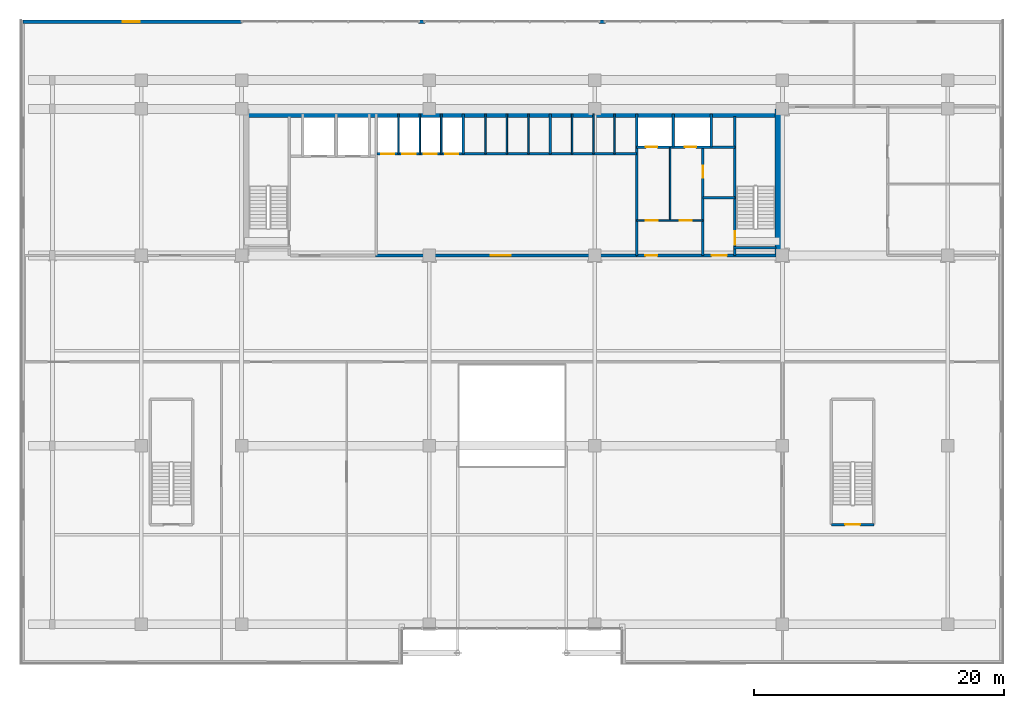
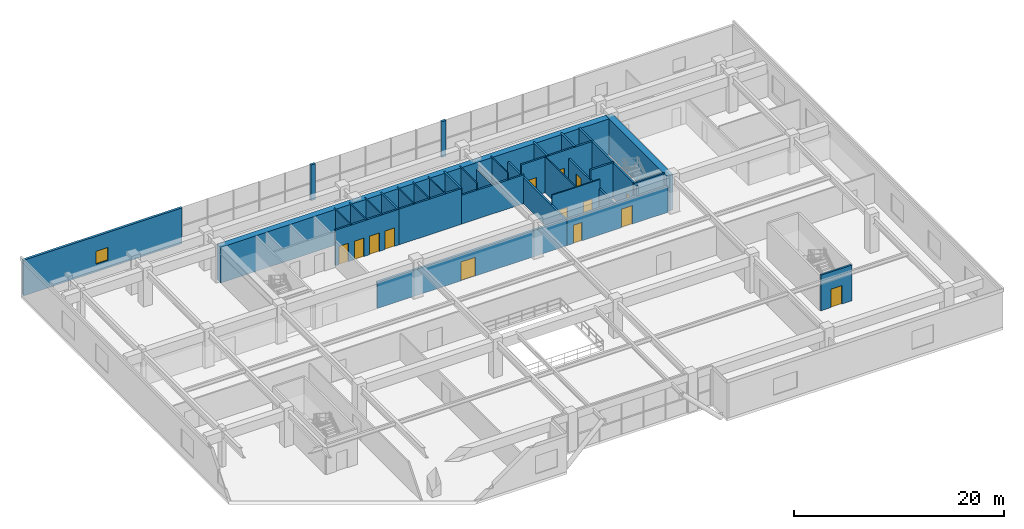
# One storey, part 14 of 21: 32 walls, 14 doors, 1 window, 15 openings.
"""IFC4 building model written with IfcOpenShell, lengths in metres."""

from ifc_helpers import new_model, si_unit, direction, frame, frame_2d, origin, place, context, subcontext, project, spatial, rectangle, extrude, source, transform, mapped, material, layer, layer_set, type_object, element, fill, save


model = new_model("IFC4")

# Units and contexts
model_context = context("Model", 3, precision=1e-05, world=origin(), true_north=direction((0.0, 1.0)))
body_context = subcontext(model_context, "Body", "Model", "MODEL_VIEW")
ifc_project = project(units=[si_unit("LENGTHUNIT", "METRE"), si_unit("AREAUNIT", "SQUARE_METRE"), si_unit("VOLUMEUNIT", "CUBIC_METRE"), si_unit("PLANEANGLEUNIT", "RADIAN"), si_unit("MASSUNIT", "GRAM", prefix="KILO")], contexts=[model_context])

# Site, building, storey
site_placement = place(None, origin())
site = spatial("IfcSite", under=ifc_project, at=site_placement, CompositionType="ELEMENT")
building_placement = place(site_placement, origin())
building = spatial("IfcBuilding", under=site, at=building_placement, Name="Trelvane Seafront Commons", CompositionType="ELEMENT")
storey_placement = place(building_placement, frame((0.0, 0.0, 14.199951171875)))
storey = spatial("IfcBuildingStorey", under=building, at=storey_placement, Name="L03", CompositionType="ELEMENT", Elevation=14.199951171875)

# Wall, opening, window
ifc_material_1 = material(Name="Precast concrete C40/50", Category="concrete")
ifc_layer_1 = layer(ifc_material_1, 0.260009765625, Name="ARCH-WALL-EXT260")
ifc_layer_set_1 = layer_set([ifc_layer_1], Name="Precast concrete C40/50")
wall_type_1 = type_object("IfcWallType", Name="ARCH-WALL-EXT260", PredefinedType="SOLIDWALL", material=ifc_layer_set_1)
wall_1_placement = place(storey_placement, frame((-1.85009765625, 52.070068359375, 0.0), z_axis=(0.0, 0.0, 1.0), x_axis=(1.0, 0.0, 0.0)))
wall_1 = element("IfcWall", 1, at=wall_1_placement, inside=storey, type_object=wall_type_1, Name="EW-L03-NW-0025", PredefinedType="SOLIDWALL", context=body_context, shape_type="SweptSolid", body=[
    extrude(rectangle(XDim=17.4501953125, YDim=0.260009765625, at=frame_2d((8.72509765625, 0.0))), origin(), (0.0, 0.0, 1.0), 4.150146484375),
])
opening_1_placement = place(wall_1_placement, frame((7.9599609375, 0.0, 0.89990234375)))
opening_1 = element("IfcOpeningElement", 2, at=opening_1_placement, cuts=wall_1, Name="Opening W09", PredefinedType="OPENING", context=body_context, shape_type="SweptSolid", body=[
    extrude(rectangle(XDim=1.35009765625, YDim=1.5, at=frame_2d((0.675048828125, 0.75))), frame((0.0, 0.139892578125, 0.0), z_axis=(0.0, -1.0, 0.0), x_axis=(1.0, 0.0, 0.0)), (0.0, 0.0, 1.0), 0.280029296875),
])
ifc_material_2 = material(Name="Low-E coastal double glazing", Category="glass")
window_type = type_object("IfcWindowType", Name="ARCH-WIN-W09", PartitioningType="SINGLE_PANEL", PredefinedType="WINDOW", material=ifc_material_2)
shared_shape_1 = source(origin(), body_context, "Body", "SweptSolid", [
    extrude(rectangle(XDim=1.35009765625, YDim=1.5, at=frame_2d((0.675048828125, 0.75))), frame((0.0, 0.030029296875, 0.0), z_axis=(0.0, -1.0, 0.0), x_axis=(1.0, 0.0, 0.0)), (0.0, 0.0, 1.0), 0.06005859375),
])
window_placement = place(opening_1_placement, origin())
window = element("IfcWindow", 3, at=window_placement, inside=storey, type_object=window_type, Name="WIN-L03-00038", OverallHeight=1.5, OverallWidth=1.35009765625, PartitioningType="SINGLE_PANEL", PredefinedType="WINDOW", context=body_context, shape_type="MappedRepresentation", body=[
    mapped(shared_shape_1, transform((0.0, 0.0, 0.0), x_axis=(1.0, 0.0, 0.0), y_axis=(0.0, 1.0, 0.0), z_axis=(0.0, 0.0, 1.0), scale=1.0)),
])
fill(opening_1, window)

# Walls
for number, where, z_axis, x_axis, name in (
    (4, (29.75, 52.070068359375, 0.0), (0.0, 0.0, 1.0), (1.0, 0.0, 0.0), "EW-L03-NP-00027"),
    (5, (44.14990234375, 52.070068359375, 0.0), (0.0, 0.0, 1.0), (1.0, 0.0, 0.0), "EW-L03-NP-00028"),
):
    element("IfcWall", number, at=place(storey_placement, frame(where, z_axis=z_axis, x_axis=x_axis)), inside=storey, type_object=wall_type_1, Name=name, PredefinedType="SOLIDWALL", context=body_context, shape_type="SweptSolid", body=[
        extrude(rectangle(XDim=0.5, YDim=0.260009765625, at=frame_2d((0.25, 0.0))), origin(), (0.0, 0.0, 1.0), 4.150146484375),
    ])

# Wall, opening, door
ifc_material_3 = material(Name="Concrete C40/50", Category="concrete")
ifc_layer_2 = layer(ifc_material_3, 0.199951171875, Name="ARCH-WALL-FIRE200")
ifc_layer_set_2 = layer_set([ifc_layer_2], Name="Concrete C40/50")
wall_type_2 = type_object("IfcWallType", Name="ARCH-WALL-FIRE200", PredefinedType="PARTITIONING", material=ifc_layer_set_2)
wall_2_placement = place(storey_placement, frame((52.449951171875, 33.39990234375, 0.0), z_axis=(0.0, 0.0, 1.0), x_axis=(0.0, 1.0, 0.0)))
wall_2 = element("IfcWall", 6, at=wall_2_placement, inside=storey, type_object=wall_type_2, Name="W-L03-ST2V-W-041", PredefinedType="PARTITIONING", context=body_context, shape_type="SweptSolid", body=[
    extrude(rectangle(XDim=8.650146484375, YDim=0.199951171875, at=frame_2d((4.3251953125, 0.0))), origin(), (0.0, 0.0, 1.0), 3.050048828125),
])
opening_2_placement = place(wall_2_placement, frame((6.199951171875, 0.0, 0.0)))
opening_2 = element("IfcOpeningElement", 7, at=opening_2_placement, cuts=wall_2, Name="Opening FD-L03-15", PredefinedType="OPENING", context=body_context, shape_type="SweptSolid", body=[
    extrude(rectangle(XDim=0.949951171875, YDim=2.14990234375, at=frame_2d((0.47509765625, 1.074951171875))), frame((0.0, 0.10986328125, 0.0), z_axis=(0.0, -1.0, 0.0), x_axis=(1.0, 0.0, 0.0)), (0.0, 0.0, 1.0), 0.219970703125),
])
ifc_material_4 = material(Name="Powder-coated aluminium frame", Category="aluminium")
door_type_1 = type_object("IfcDoorType", Name="ARCH-DR-FD60-950", OperationType="NOTDEFINED", PredefinedType="DOOR", material=ifc_material_4)
shared_shape_2 = source(origin(), body_context, "Body", "SweptSolid", [
    extrude(rectangle(XDim=0.949951171875, YDim=2.14990234375, at=frame_2d((0.47509765625, 1.074951171875))), frame((0.0, 0.02490234375, 0.0), z_axis=(0.0, -1.0, 0.0), x_axis=(1.0, 0.0, 0.0)), (0.0, 0.0, 1.0), 0.050048828125),
])
door_1_placement = place(opening_2_placement, origin())
door_1 = element("IfcDoor", 8, at=door_1_placement, inside=storey, type_object=door_type_1, Name="L03 Cleaner Store Door", OperationType="SINGLE_SWING_LEFT", OverallHeight=2.14990234375, OverallWidth=0.949951171875, PredefinedType="DOOR", context=body_context, shape_type="MappedRepresentation", body=[
    mapped(shared_shape_2, transform((0.0, 0.0, 0.0), x_axis=(1.0, 0.0, 0.0), y_axis=(0.0, 1.0, 0.0), z_axis=(0.0, 0.0, 1.0), scale=1.0)),
])
fill(opening_2, door_1)

# Wall
wall_3_placement = place(storey_placement, frame((52.449951171875, 38.0, 0.0), z_axis=(0.0, 0.0, 1.0), x_axis=(1.0, 0.0, 0.0)))
element("IfcWall", 9, at=wall_3_placement, inside=storey, type_object=wall_type_2, Name="W-L03-ST2V-N-042", PredefinedType="PARTITIONING", context=body_context, shape_type="SweptSolid", body=[
    extrude(rectangle(XDim=2.550048828125, YDim=0.199951171875, at=frame_2d((1.27490234375, 0.0))), origin(), (0.0, 0.0, 1.0), 4.150146484375),
])

# Wall, opening, door
ifc_layer_3 = layer(ifc_material_3, 0.25, Name="ARCH-WALL-FIRE250")
ifc_layer_set_3 = layer_set([ifc_layer_3], Name="Concrete C40/50")
wall_type_3 = type_object("IfcWallType", Name="ARCH-WALL-FIRE250", PredefinedType="PARTITIONING", material=ifc_layer_set_3)
wall_4_placement = place(storey_placement, frame((26.300048828125, 33.39990234375, 0.0), z_axis=(0.0, 0.0, 1.0), x_axis=(1.0, 0.0, 0.0)))
wall_4 = element("IfcWall", 10, at=wall_4_placement, inside=storey, type_object=wall_type_3, Name="W-L03-CS-PAX-037", PredefinedType="PARTITIONING", context=body_context, shape_type="SweptSolid", body=[
    extrude(rectangle(XDim=20.849853515625, YDim=0.25, at=frame_2d((10.4248046875, 0.0))), origin(), (0.0, 0.0, 1.0), 3.050048828125),
])
opening_3_placement = place(wall_4_placement, frame((9.199951171875, 0.0, 0.0)))
opening_3 = element("IfcOpeningElement", 11, at=opening_3_placement, cuts=wall_4, Name="Opening FD-L03-12", PredefinedType="OPENING", context=body_context, shape_type="SweptSolid", body=[
    extrude(rectangle(XDim=1.60009765625, YDim=2.199951171875, at=frame_2d((0.800048828125, 1.10009765625))), frame((0.0, 0.135009765625, 0.0), z_axis=(0.0, -1.0, 0.0), x_axis=(1.0, 0.0, 0.0)), (0.0, 0.0, 1.0), 0.27001953125),
])
door_type_2 = type_object("IfcDoorType", Name="ARCH-DR-FD60-1600", OperationType="DOUBLE_DOOR_SINGLE_SWING", PredefinedType="DOOR", material=ifc_material_4)
shared_shape_3 = source(origin(), body_context, "Body", "SweptSolid", [
    extrude(rectangle(XDim=1.60009765625, YDim=2.199951171875, at=frame_2d((0.800048828125, 1.10009765625))), frame((0.0, 0.02490234375, 0.0), z_axis=(0.0, -1.0, 0.0), x_axis=(1.0, 0.0, 0.0)), (0.0, 0.0, 1.0), 0.050048828125),
])
door_2_placement = place(opening_3_placement, origin())
door_2 = element("IfcDoor", 12, at=door_2_placement, inside=storey, type_object=door_type_2, Name="L03 Passenger Lift Lobby Double Door", OperationType="DOUBLE_DOOR_SINGLE_SWING", OverallHeight=2.199951171875, OverallWidth=1.60009765625, PredefinedType="DOOR", context=body_context, shape_type="MappedRepresentation", body=[
    mapped(shared_shape_3, transform((0.0, 0.0, 0.0), x_axis=(1.0, 0.0, 0.0), y_axis=(0.0, 1.0, 0.0), z_axis=(0.0, 0.0, 1.0), scale=1.0)),
])
fill(opening_3, door_2)

# Wall, openings, doors
wall_5_placement = place(storey_placement, frame((47.14990234375, 33.39990234375, 0.0), z_axis=(0.0, 0.0, 1.0), x_axis=(1.0, 0.0, 0.0)))
wall_5 = element("IfcWall", 13, at=wall_5_placement, inside=storey, type_object=wall_type_3, Name="W-L03-CS-EAST-045", PredefinedType="PARTITIONING", context=body_context, shape_type="SweptSolid", body=[
    extrude(rectangle(XDim=11.150146484375, YDim=0.25, at=frame_2d((5.5751953125, 0.0))), origin(), (0.0, 0.0, 1.0), 3.050048828125),
])
opening_4_placement = place(wall_5_placement, frame((0.699951171875, 0.0, 0.0)))
opening_4 = element("IfcOpeningElement", 14, at=opening_4_placement, cuts=wall_5, Name="Opening FD-L03-18", PredefinedType="OPENING", context=body_context, shape_type="SweptSolid", body=[
    extrude(rectangle(XDim=0.949951171875, YDim=2.14990234375, at=frame_2d((0.47509765625, 1.074951171875))), frame((0.0, 0.135009765625, 0.0), z_axis=(0.0, -1.0, 0.0), x_axis=(1.0, 0.0, 0.0)), (0.0, 0.0, 1.0), 0.27001953125),
])
opening_5_placement = place(wall_5_placement, frame((6.0, 0.0, 0.0)))
opening_5 = element("IfcOpeningElement", 15, at=opening_5_placement, cuts=wall_5, Name="Opening FD-L03-19", PredefinedType="OPENING", context=body_context, shape_type="SweptSolid", body=[
    extrude(rectangle(XDim=1.199951171875, YDim=2.14990234375, at=frame_2d((0.60009765625, 1.074951171875))), frame((0.0, 0.135009765625, 0.0), z_axis=(0.0, -1.0, 0.0), x_axis=(1.0, 0.0, 0.0)), (0.0, 0.0, 1.0), 0.27001953125),
])
door_3_placement = place(opening_4_placement, origin())
door_3 = element("IfcDoor", 16, at=door_3_placement, inside=storey, type_object=door_type_1, Name="L03 Core Service Lobby Door", OperationType="SINGLE_SWING_RIGHT", OverallHeight=2.14990234375, OverallWidth=0.949951171875, PredefinedType="DOOR", context=body_context, shape_type="MappedRepresentation", body=[
    mapped(shared_shape_2, transform((0.0, 0.0, 0.0), x_axis=(1.0, 0.0, 0.0), y_axis=(0.0, 1.0, 0.0), z_axis=(0.0, 0.0, 1.0), scale=1.0)),
])
fill(opening_4, door_3)
door_type_3 = type_object("IfcDoorType", Name="ARCH-DR-FD60-1200", OperationType="NOTDEFINED", PredefinedType="DOOR", material=ifc_material_4)
shared_shape_4 = source(origin(), body_context, "Body", "SweptSolid", [
    extrude(rectangle(XDim=1.199951171875, YDim=2.14990234375, at=frame_2d((0.60009765625, 1.074951171875))), frame((0.0, 0.02490234375, 0.0), z_axis=(0.0, -1.0, 0.0), x_axis=(1.0, 0.0, 0.0)), (0.0, 0.0, 1.0), 0.050048828125),
])
door_4_placement = place(opening_5_placement, origin())
door_4 = element("IfcDoor", 17, at=door_4_placement, inside=storey, type_object=door_type_3, Name="L03 East Stair Vestibule Fire Door", OperationType="SINGLE_SWING_LEFT", OverallHeight=2.14990234375, OverallWidth=1.199951171875, PredefinedType="DOOR", context=body_context, shape_type="MappedRepresentation", body=[
    mapped(shared_shape_4, transform((0.0, 0.0, 0.0), x_axis=(1.0, 0.0, 0.0), y_axis=(0.0, 1.0, 0.0), z_axis=(0.0, 0.0, 1.0), scale=1.0)),
])
fill(opening_5, door_4)

# Walls
ifc_material_5 = material(Name="Gypsum Drywall Acoustic Partition")
ifc_layer_4 = layer(ifc_material_5, 0.1201171875, Name="ARCH-WALL-PART120")
ifc_layer_set_4 = layer_set([ifc_layer_4], Name="Gypsum Drywall Acoustic Partition")
wall_type_4 = type_object("IfcWallType", Name="ARCH-WALL-PART120", PredefinedType="PARTITIONING", material=ifc_layer_set_4)
for number, where, z_axis, x_axis, name in (
    (18, (28.14990234375, 41.5, 0.0), (0.0, 0.0, 1.0), (0.0, 1.0, 0.0), "W-L03-PL-DIV1-024"),
    (19, (29.85009765625, 41.5, 0.0), (0.0, 0.0, 1.0), (0.0, 1.0, 0.0), "W-L03-PL-DIV2-025"),
    (20, (31.550048828125, 41.5, 0.0), (0.0, 0.0, 1.0), (0.0, 1.0, 0.0), "W-L03-PL-DIV3-026"),
    (21, (35.10009765625, 41.5, 0.0), (0.0, 0.0, 1.0), (0.0, 1.0, 0.0), "W-L03-PM-DIV1-028"),
    (22, (36.800048828125, 41.5, 0.0), (0.0, 0.0, 1.0), (0.0, 1.0, 0.0), "W-L03-PM-DIV2-029"),
    (23, (38.5, 41.5, 0.0), (0.0, 0.0, 1.0), (0.0, 1.0, 0.0), "W-L03-PM-DIV3-030"),
    (24, (42.0, 41.5, 0.0), (0.0, 0.0, 1.0), (0.0, 1.0, 0.0), "W-L03-PH-DIV1-033"),
):
    element("IfcWall", number, at=place(storey_placement, frame(where, z_axis=z_axis, x_axis=x_axis)), inside=storey, type_object=wall_type_4, Name=name, PredefinedType="PARTITIONING", context=body_context, shape_type="SweptSolid", body=[
        extrude(rectangle(XDim=3.199951171875, YDim=0.1201171875, at=frame_2d((1.60009765625, 0.0))), origin(), (0.0, 0.0, 1.0), 4.150146484375),
    ])
wall_6_placement = place(storey_placement, frame((43.699951171875, 41.5, 0.0), z_axis=(0.0, 0.0, 1.0), x_axis=(0.0, 1.0, 0.0)))
element("IfcWall", 25, at=wall_6_placement, inside=storey, type_object=wall_type_4, Name="W-L03-PH-DIV2-034", PredefinedType="PARTITIONING", context=body_context, shape_type="SweptSolid", body=[
    extrude(rectangle(XDim=3.199951171875, YDim=0.1201171875, at=frame_2d((1.60009765625, 0.0))), origin(), (0.0, 0.0, 1.0), 3.35009765625),
])
wall_7_placement = place(storey_placement, frame((45.39990234375, 41.5, 0.0), z_axis=(0.0, 0.0, 1.0), x_axis=(0.0, 1.0, 0.0)))
element("IfcWall", 26, at=wall_7_placement, inside=storey, type_object=wall_type_4, Name="W-L03-PH-DIV3-035", PredefinedType="PARTITIONING", context=body_context, shape_type="SweptSolid", body=[
    extrude(rectangle(XDim=3.199951171875, YDim=0.1201171875, at=frame_2d((1.60009765625, 0.0))), origin(), (0.0, 0.0, 1.0), 4.150146484375),
])

# Wall, openings, doors
wall_8_placement = place(storey_placement, frame((47.14990234375, 36.179931640625, 0.0), z_axis=(0.0, 0.0, 1.0), x_axis=(1.0, 0.0, 0.0)))
wall_8 = element("IfcWall", 27, at=wall_8_placement, inside=storey, type_object=wall_type_4, Name="W-L03-CYC1-H-043", PredefinedType="PARTITIONING", context=body_context, shape_type="SweptSolid", body=[
    extrude(rectangle(XDim=5.300048828125, YDim=0.1201171875, at=frame_2d((2.64990234375, 0.0))), origin(), (0.0, 0.0, 1.0), 4.150146484375),
])
opening_6_placement = place(wall_8_placement, frame((0.75, 0.0, 0.0)))
opening_6 = element("IfcOpeningElement", 28, at=opening_6_placement, cuts=wall_8, Name="Opening D-L03-16", PredefinedType="OPENING", context=body_context, shape_type="SweptSolid", body=[
    extrude(rectangle(XDim=0.949951171875, YDim=2.14990234375, at=frame_2d((0.47509765625, 1.074951171875))), frame((0.0, 0.070068359375, 0.0), z_axis=(0.0, -1.0, 0.0), x_axis=(1.0, 0.0, 0.0)), (0.0, 0.0, 1.0), 0.14013671875),
])
opening_7_placement = place(wall_8_placement, frame((3.449951171875, 0.0, 0.0)))
opening_7 = element("IfcOpeningElement", 29, at=opening_7_placement, cuts=wall_8, Name="Opening D-L03-17", PredefinedType="OPENING", context=body_context, shape_type="SweptSolid", body=[
    extrude(rectangle(XDim=0.949951171875, YDim=2.14990234375, at=frame_2d((0.47509765625, 1.074951171875))), frame((0.0, 0.070068359375, 0.0), z_axis=(0.0, -1.0, 0.0), x_axis=(1.0, 0.0, 0.0)), (0.0, 0.0, 1.0), 0.14013671875),
])
ifc_material_6 = material(Name="Acoustic timber door leaf", Category="wood")
door_type_4 = type_object("IfcDoorType", Name="ARCH-DR-INT950", OperationType="NOTDEFINED", PredefinedType="DOOR", material=ifc_material_6)
door_5_placement = place(opening_6_placement, origin())
door_5 = element("IfcDoor", 30, at=door_5_placement, inside=storey, type_object=door_type_4, Name="L03 Accessible WC Door", OperationType="SINGLE_SWING_RIGHT", OverallHeight=2.14990234375, OverallWidth=0.949951171875, PredefinedType="DOOR", context=body_context, shape_type="MappedRepresentation", body=[
    mapped(shared_shape_2, transform((0.0, 0.0, 0.0), x_axis=(1.0, 0.0, 0.0), y_axis=(0.0, 1.0, 0.0), z_axis=(0.0, 0.0, 1.0), scale=1.0)),
])
fill(opening_6, door_5)
door_6_placement = place(opening_7_placement, origin())
door_6 = element("IfcDoor", 31, at=door_6_placement, inside=storey, type_object=door_type_4, Name="L03 BMS Room Door", OperationType="SINGLE_SWING_LEFT", OverallHeight=2.14990234375, OverallWidth=0.949951171875, PredefinedType="DOOR", context=body_context, shape_type="MappedRepresentation", body=[
    mapped(shared_shape_2, transform((0.0, 0.0, 0.0), x_axis=(1.0, 0.0, 0.0), y_axis=(0.0, 1.0, 0.0), z_axis=(0.0, 0.0, 1.0), scale=1.0)),
])
fill(opening_7, door_6)

# Wall
wall_9_placement = place(storey_placement, frame((49.820068359375, 36.179931640625, 0.0), z_axis=(0.0, 0.0, 1.0), x_axis=(0.0, 1.0, 0.0)))
element("IfcWall", 32, at=wall_9_placement, inside=storey, type_object=wall_type_4, Name="W-L03-CYC1-V-044", PredefinedType="PARTITIONING", context=body_context, shape_type="SweptSolid", body=[
    extrude(rectangle(XDim=5.820068359375, YDim=0.1201171875, at=frame_2d((2.91015625, 0.0))), origin(), (0.0, 0.0, 1.0), 4.150146484375),
])

# Wall, openings, doors
ifc_layer_5 = layer(ifc_material_3, 0.199951171875, Name="ARCH-WALL-SHAFT200")
ifc_layer_set_5 = layer_set([ifc_layer_5], Name="Concrete C40/50")
wall_type_5 = type_object("IfcWallType", Name="ARCH-WALL-SHAFT200", PredefinedType="SOLIDWALL", material=ifc_layer_set_5)
wall_10_placement = place(storey_placement, frame((26.39990234375, 41.5, 0.0), z_axis=(0.0, 0.0, 1.0), x_axis=(1.0, 0.0, 0.0)))
wall_10 = element("IfcWall", 33, at=wall_10_placement, inside=storey, type_object=wall_type_5, Name="W-L03-PL-FRONT-022", PredefinedType="SOLIDWALL", context=body_context, shape_type="SweptSolid", body=[
    extrude(rectangle(XDim=6.9501953125, YDim=0.199951171875, at=frame_2d((3.47509765625, 0.0))), origin(), (0.0, 0.0, 1.0), 4.150146484375),
])
opening_8_placement = place(wall_10_placement, frame((0.35009765625, 0.0, 0.0)))
opening_8 = element("IfcOpeningElement", 34, at=opening_8_placement, cuts=wall_10, Name="Opening LD-PL1-L03", PredefinedType="OPENING", context=body_context, shape_type="SweptSolid", body=[
    extrude(rectangle(XDim=1.050048828125, YDim=2.14990234375, at=frame_2d((0.52490234375, 1.074951171875))), frame((0.0, 0.10986328125, 0.0), z_axis=(0.0, -1.0, 0.0), x_axis=(1.0, 0.0, 0.0)), (0.0, 0.0, 1.0), 0.219970703125),
])
opening_9_placement = place(wall_10_placement, frame((2.050048828125, 0.0, 0.0)))
opening_9 = element("IfcOpeningElement", 35, at=opening_9_placement, cuts=wall_10, Name="Opening LD-PL2-L03", PredefinedType="OPENING", context=body_context, shape_type="SweptSolid", body=[
    extrude(rectangle(XDim=1.050048828125, YDim=2.14990234375, at=frame_2d((0.52490234375, 1.074951171875))), frame((0.0, 0.10986328125, 0.0), z_axis=(0.0, -1.0, 0.0), x_axis=(1.0, 0.0, 0.0)), (0.0, 0.0, 1.0), 0.219970703125),
])
opening_10_placement = place(wall_10_placement, frame((3.75, 0.0, 0.0)))
opening_10 = element("IfcOpeningElement", 36, at=opening_10_placement, cuts=wall_10, Name="Opening LD-PL3-L03", PredefinedType="OPENING", context=body_context, shape_type="SweptSolid", body=[
    extrude(rectangle(XDim=1.050048828125, YDim=2.14990234375, at=frame_2d((0.52490234375, 1.074951171875))), frame((0.0, 0.10986328125, 0.0), z_axis=(0.0, -1.0, 0.0), x_axis=(1.0, 0.0, 0.0)), (0.0, 0.0, 1.0), 0.219970703125),
])
opening_11_placement = place(wall_10_placement, frame((5.449951171875, 0.0, 0.0)))
opening_11 = element("IfcOpeningElement", 37, at=opening_11_placement, cuts=wall_10, Name="Opening LD-PL4-L03", PredefinedType="OPENING", context=body_context, shape_type="SweptSolid", body=[
    extrude(rectangle(XDim=1.050048828125, YDim=2.14990234375, at=frame_2d((0.52490234375, 1.074951171875))), frame((0.0, 0.10986328125, 0.0), z_axis=(0.0, -1.0, 0.0), x_axis=(1.0, 0.0, 0.0)), (0.0, 0.0, 1.0), 0.219970703125),
])
ifc_material_7 = material(Name="Stainless steel balustrade", Category="steel")
door_type_5 = type_object("IfcDoorType", Name="ARCH-DR-LD1050", OperationType="DOUBLE_DOOR_SLIDING", PredefinedType="DOOR", material=ifc_material_7)
shared_shape_5 = source(origin(), body_context, "Body", "SweptSolid", [
    extrude(rectangle(XDim=1.050048828125, YDim=2.14990234375, at=frame_2d((0.52490234375, 1.074951171875))), frame((0.0, 0.02490234375, 0.0), z_axis=(0.0, -1.0, 0.0), x_axis=(1.0, 0.0, 0.0)), (0.0, 0.0, 1.0), 0.050048828125),
])
door_7_placement = place(opening_8_placement, origin())
door_7 = element("IfcDoor", 38, at=door_7_placement, inside=storey, type_object=door_type_5, Name="L03 Passenger Lift PL-1 Landing Door", OperationType="DOUBLE_DOOR_SLIDING", OverallHeight=2.14990234375, OverallWidth=1.050048828125, PredefinedType="DOOR", context=body_context, shape_type="MappedRepresentation", body=[
    mapped(shared_shape_5, transform((0.0, 0.0, 0.0), x_axis=(1.0, 0.0, 0.0), y_axis=(0.0, 1.0, 0.0), z_axis=(0.0, 0.0, 1.0), scale=1.0)),
])
fill(opening_8, door_7)
door_8_placement = place(opening_9_placement, origin())
door_8 = element("IfcDoor", 39, at=door_8_placement, inside=storey, type_object=door_type_5, Name="L03 Passenger Lift PL-2 Landing Door", OperationType="DOUBLE_DOOR_SLIDING", OverallHeight=2.14990234375, OverallWidth=1.050048828125, PredefinedType="DOOR", context=body_context, shape_type="MappedRepresentation", body=[
    mapped(shared_shape_5, transform((0.0, 0.0, 0.0), x_axis=(1.0, 0.0, 0.0), y_axis=(0.0, 1.0, 0.0), z_axis=(0.0, 0.0, 1.0), scale=1.0)),
])
fill(opening_9, door_8)
door_9_placement = place(opening_10_placement, origin())
door_9 = element("IfcDoor", 40, at=door_9_placement, inside=storey, type_object=door_type_5, Name="L03 Passenger Lift PL-3 Landing Door", OperationType="DOUBLE_DOOR_SLIDING", OverallHeight=2.14990234375, OverallWidth=1.050048828125, PredefinedType="DOOR", context=body_context, shape_type="MappedRepresentation", body=[
    mapped(shared_shape_5, transform((0.0, 0.0, 0.0), x_axis=(1.0, 0.0, 0.0), y_axis=(0.0, 1.0, 0.0), z_axis=(0.0, 0.0, 1.0), scale=1.0)),
])
fill(opening_10, door_9)
door_10_placement = place(opening_11_placement, origin())
door_10 = element("IfcDoor", 41, at=door_10_placement, inside=storey, type_object=door_type_5, Name="L03 Passenger Lift PL-4 Landing Door", OperationType="DOUBLE_DOOR_SLIDING", OverallHeight=2.14990234375, OverallWidth=1.050048828125, PredefinedType="DOOR", context=body_context, shape_type="MappedRepresentation", body=[
    mapped(shared_shape_5, transform((0.0, 0.0, 0.0), x_axis=(1.0, 0.0, 0.0), y_axis=(0.0, 1.0, 0.0), z_axis=(0.0, 0.0, 1.0), scale=1.0)),
])
fill(opening_11, door_10)

# Walls
wall_11_placement = place(storey_placement, frame((33.300048828125, 41.5, 0.0), z_axis=(0.0, 0.0, 1.0), x_axis=(0.0, 1.0, 0.0)))
element("IfcWall", 42, at=wall_11_placement, inside=storey, type_object=wall_type_5, Name="W-L03-PL-EAST-SH-023", PredefinedType="SOLIDWALL", context=body_context, shape_type="SweptSolid", body=[
    extrude(rectangle(XDim=3.199951171875, YDim=0.199951171875, at=frame_2d((1.60009765625, 0.0))), origin(), (0.0, 0.0, 1.0), 4.150146484375),
])
wall_12_placement = place(storey_placement, frame((33.35009765625, 41.5, 0.0), z_axis=(0.0, 0.0, 1.0), x_axis=(1.0, 0.0, 0.0)))
element("IfcWall", 43, at=wall_12_placement, inside=storey, type_object=wall_type_5, Name="W-L03-PM-FRONT-027", PredefinedType="SOLIDWALL", context=body_context, shape_type="SweptSolid", body=[
    extrude(rectangle(XDim=6.89990234375, YDim=0.199951171875, at=frame_2d((3.449951171875, 0.0))), origin(), (0.0, 0.0, 1.0), 4.150146484375),
])
wall_13_placement = place(storey_placement, frame((40.25, 41.5, 0.0), z_axis=(0.0, 0.0, 1.0), x_axis=(1.0, 0.0, 0.0)))
element("IfcWall", 44, at=wall_13_placement, inside=storey, type_object=wall_type_5, Name="W-L03-PH-FRONT-031", PredefinedType="SOLIDWALL", context=body_context, shape_type="SweptSolid", body=[
    extrude(rectangle(XDim=6.89990234375, YDim=0.199951171875, at=frame_2d((3.449951171875, 0.0))), origin(), (0.0, 0.0, 1.0), 3.35009765625),
])
wall_14_placement = place(storey_placement, frame((40.25, 41.5, 0.0), z_axis=(0.0, 0.0, 1.0), x_axis=(0.0, 1.0, 0.0)))
element("IfcWall", 45, at=wall_14_placement, inside=storey, type_object=wall_type_5, Name="W-L03-PH-WEST-SH-032", PredefinedType="SOLIDWALL", context=body_context, shape_type="SweptSolid", body=[
    extrude(rectangle(XDim=3.199951171875, YDim=0.199951171875, at=frame_2d((1.60009765625, 0.0))), origin(), (0.0, 0.0, 1.0), 4.150146484375),
])
wall_15_placement = place(storey_placement, frame((47.14990234375, 33.39990234375, 0.0), z_axis=(0.0, 0.0, 1.0), x_axis=(0.0, 1.0, 0.0)))
element("IfcWall", 46, at=wall_15_placement, inside=storey, type_object=wall_type_5, Name="W-L03-PH-EAST-036", PredefinedType="SOLIDWALL", context=body_context, shape_type="SweptSolid", body=[
    extrude(rectangle(XDim=11.300048828125, YDim=0.199951171875, at=frame_2d((5.64990234375, 0.0))), origin(), (0.0, 0.0, 1.0), 3.050048828125),
])

# Wall, openings, doors
wall_16_placement = place(storey_placement, frame((47.14990234375, 42.050048828125, 0.0), z_axis=(0.0, 0.0, 1.0), x_axis=(1.0, 0.0, 0.0)))
wall_16 = element("IfcWall", 47, at=wall_16_placement, inside=storey, type_object=wall_type_5, Name="W-L03-RSR-S-038", PredefinedType="SOLIDWALL", context=body_context, shape_type="SweptSolid", body=[
    extrude(rectangle(XDim=7.85009765625, YDim=0.199951171875, at=frame_2d((3.925048828125, 0.0))), origin(), (0.0, 0.0, 1.0), 4.150146484375),
])
opening_12_placement = place(wall_16_placement, frame((0.75, 0.0, 0.0)))
opening_12 = element("IfcOpeningElement", 48, at=opening_12_placement, cuts=wall_16, Name="Opening FD-L03-13", PredefinedType="OPENING", context=body_context, shape_type="SweptSolid", body=[
    extrude(rectangle(XDim=0.89990234375, YDim=2.10009765625, at=frame_2d((0.449951171875, 1.050048828125))), frame((0.0, 0.10986328125, 0.0), z_axis=(0.0, -1.0, 0.0), x_axis=(1.0, 0.0, 0.0)), (0.0, 0.0, 1.0), 0.219970703125),
])
opening_13_placement = place(wall_16_placement, frame((3.85009765625, 0.0, 0.0)))
opening_13 = element("IfcOpeningElement", 49, at=opening_13_placement, cuts=wall_16, Name="Opening FD-L03-14", PredefinedType="OPENING", context=body_context, shape_type="SweptSolid", body=[
    extrude(rectangle(XDim=0.89990234375, YDim=2.10009765625, at=frame_2d((0.449951171875, 1.050048828125))), frame((0.0, 0.10986328125, 0.0), z_axis=(0.0, -1.0, 0.0), x_axis=(1.0, 0.0, 0.0)), (0.0, 0.0, 1.0), 0.219970703125),
])
door_type_6 = type_object("IfcDoorType", Name="ARCH-DR-FD60-900", OperationType="NOTDEFINED", PredefinedType="DOOR", material=ifc_material_4)
shared_shape_6 = source(origin(), body_context, "Body", "SweptSolid", [
    extrude(rectangle(XDim=0.89990234375, YDim=2.10009765625, at=frame_2d((0.449951171875, 1.050048828125))), frame((0.0, 0.02490234375, 0.0), z_axis=(0.0, -1.0, 0.0), x_axis=(1.0, 0.0, 0.0)), (0.0, 0.0, 1.0), 0.050048828125),
])
door_11_placement = place(opening_12_placement, origin())
door_11 = element("IfcDoor", 50, at=door_11_placement, inside=storey, type_object=door_type_6, Name="L03 Electrical Riser Access Door", OperationType="SINGLE_SWING_LEFT", OverallHeight=2.10009765625, OverallWidth=0.89990234375, PredefinedType="DOOR", context=body_context, shape_type="MappedRepresentation", body=[
    mapped(shared_shape_6, transform((0.0, 0.0, 0.0), x_axis=(1.0, 0.0, 0.0), y_axis=(0.0, 1.0, 0.0), z_axis=(0.0, 0.0, 1.0), scale=1.0)),
])
fill(opening_12, door_11)
door_12_placement = place(opening_13_placement, origin())
door_12 = element("IfcDoor", 51, at=door_12_placement, inside=storey, type_object=door_type_6, Name="L03 Mechanical Riser Access Door", OperationType="SINGLE_SWING_RIGHT", OverallHeight=2.10009765625, OverallWidth=0.89990234375, PredefinedType="DOOR", context=body_context, shape_type="MappedRepresentation", body=[
    mapped(shared_shape_6, transform((0.0, 0.0, 0.0), x_axis=(1.0, 0.0, 0.0), y_axis=(0.0, 1.0, 0.0), z_axis=(0.0, 0.0, 1.0), scale=1.0)),
])
fill(opening_13, door_12)

# Walls
for number, where, z_axis, x_axis, name in (
    (52, (50.080078125, 42.050048828125, 0.0), (0.0, 0.0, 1.0), (0.0, 1.0, 0.0), "W-L03-RSR-DIV-039"),
    (53, (53.10009765625, 42.050048828125, 0.0), (0.0, 0.0, 1.0), (0.0, 1.0, 0.0), "W-L03-RSR-E-040"),
):
    element("IfcWall", number, at=place(storey_placement, frame(where, z_axis=z_axis, x_axis=x_axis)), inside=storey, type_object=wall_type_5, Name=name, PredefinedType="SOLIDWALL", context=body_context, shape_type="SweptSolid", body=[
        extrude(rectangle(XDim=2.64990234375, YDim=0.199951171875, at=frame_2d((1.324951171875, 0.0))), origin(), (0.0, 0.0, 1.0), 4.150146484375),
    ])
ifc_material_8 = material(Name="Concrete C60/75", Category="concrete")
ifc_layer_6 = layer(ifc_material_8, 0.699951171875, Name="STR-WALL-CORE700")
ifc_layer_set_6 = layer_set([ifc_layer_6], Name="Concrete C60/75")
wall_type_6 = type_object("IfcWallType", Name="STR-WALL-CORE700", PredefinedType="SHEAR", material=ifc_layer_set_6)
wall_17_placement = place(storey_placement, frame((15.5, 44.75, 0.0), z_axis=(0.0, 0.0, 1.0), x_axis=(1.0, 0.0, 0.0)))
element("IfcWall", 54, at=wall_17_placement, inside=storey, type_object=wall_type_6, Name="W-L03-CN-ALL-001", PredefinedType="SHEAR", context=body_context, shape_type="SweptSolid", body=[
    extrude(rectangle(XDim=43.39990234375, YDim=0.699951171875, at=frame_2d((21.699951171875, 0.0))), origin(), (0.0, 0.0, 1.0), 4.150146484375),
])
wall_18_placement = place(storey_placement, frame((58.550048828125, 33.39990234375, 0.0), z_axis=(0.0, 0.0, 1.0), x_axis=(0.0, 1.0, 0.0)))
element("IfcWall", 55, at=wall_18_placement, inside=storey, type_object=wall_type_6, Name="W-L03-CE-END-003", PredefinedType="SHEAR", context=body_context, shape_type="SweptSolid", body=[
    extrude(rectangle(XDim=11.7001953125, YDim=0.699951171875, at=frame_2d((5.85009765625, 0.0))), origin(), (0.0, 0.0, 1.0), 4.150146484375),
])
ifc_material_9 = material(Name="Concrete C50/60", Category="concrete")
ifc_layer_7 = layer(ifc_material_9, 0.199951171875, Name="STR-WALL-STAIR200")
ifc_layer_set_7 = layer_set([ifc_layer_7], Name="Concrete C50/60")
wall_type_7 = type_object("IfcWallType", Name="STR-WALL-STAIR200", PredefinedType="SHEAR", material=ifc_layer_set_7)
wall_19_placement = place(storey_placement, frame((54.89990234375, 34.0, 0.0), z_axis=(0.0, 0.0, 1.0), x_axis=(1.0, 0.0, 0.0)))
element("IfcWall", 56, at=wall_19_placement, inside=storey, type_object=wall_type_7, Name="W-L03-ST2-S-006", PredefinedType="SHEAR", context=body_context, shape_type="SweptSolid", body=[
    extrude(rectangle(XDim=3.400146484375, YDim=0.199951171875, at=frame_2d((1.7001953125, 0.0))), origin(), (0.0, 0.0, 1.0), 4.150146484375),
])

# Wall, opening, door
wall_20_placement = place(storey_placement, frame((55.0, 33.39990234375, 0.0), z_axis=(0.0, 0.0, 1.0), x_axis=(0.0, 1.0, 0.0)))
wall_20 = element("IfcWall", 57, at=wall_20_placement, inside=storey, type_object=wall_type_7, Name="W-L03-ST2-W-007", PredefinedType="SHEAR", context=body_context, shape_type="SweptSolid", body=[
    extrude(rectangle(XDim=11.10009765625, YDim=0.199951171875, at=frame_2d((5.550048828125, 0.0))), origin(), (0.0, 0.0, 1.0), 4.150146484375),
])
opening_14_placement = place(wall_20_placement, frame((0.85009765625, 0.0, 0.0)))
opening_14 = element("IfcOpeningElement", 58, at=opening_14_placement, cuts=wall_20, Name="Opening ST-D2-L03", PredefinedType="OPENING", context=body_context, shape_type="SweptSolid", body=[
    extrude(rectangle(XDim=1.10009765625, YDim=2.14990234375, at=frame_2d((0.550048828125, 1.074951171875))), frame((0.0, 0.10986328125, 0.0), z_axis=(0.0, -1.0, 0.0), x_axis=(1.0, 0.0, 0.0)), (0.0, 0.0, 1.0), 0.219970703125),
])
door_type_7 = type_object("IfcDoorType", Name="ARCH-DR-FD90-1100", OperationType="NOTDEFINED", PredefinedType="DOOR", material=ifc_material_4)
shared_shape_7 = source(origin(), body_context, "Body", "SweptSolid", [
    extrude(rectangle(XDim=1.10009765625, YDim=2.14990234375, at=frame_2d((0.550048828125, 1.074951171875))), frame((0.0, 0.02490234375, 0.0), z_axis=(0.0, -1.0, 0.0), x_axis=(1.0, 0.0, 0.0)), (0.0, 0.0, 1.0), 0.050048828125),
])
door_13_placement = place(opening_14_placement, origin())
door_13 = element("IfcDoor", 59, at=door_13_placement, inside=storey, type_object=door_type_7, Name="L03 Stair ST-2 Vestibule Fire Door", OperationType="SINGLE_SWING_RIGHT", OverallHeight=2.14990234375, OverallWidth=1.10009765625, PredefinedType="DOOR", context=body_context, shape_type="MappedRepresentation", body=[
    mapped(shared_shape_7, transform((0.0, 0.0, 0.0), x_axis=(1.0, 0.0, 0.0), y_axis=(0.0, 1.0, 0.0), z_axis=(0.0, 0.0, 1.0), scale=1.0)),
])
fill(opening_14, door_13)

wall_21_placement = place(storey_placement, frame((62.699951171875, 11.89990234375, 0.0), z_axis=(0.0, 0.0, 1.0), x_axis=(1.0, 0.0, 0.0)))
wall_21 = element("IfcWall", 60, at=wall_21_placement, inside=storey, type_object=wall_type_7, Name="W-L03-ST4-S-014", PredefinedType="SHEAR", context=body_context, shape_type="SweptSolid", body=[
    extrude(rectangle(XDim=3.400146484375, YDim=0.199951171875, at=frame_2d((1.7001953125, 0.0))), origin(), (0.0, 0.0, 1.0), 4.150146484375),
])
opening_15_placement = place(wall_21_placement, frame((1.10009765625, 0.0, 0.0)))
opening_15 = element("IfcOpeningElement", 61, at=opening_15_placement, cuts=wall_21, Name="Opening ST-D-ST4-L03", PredefinedType="OPENING", context=body_context, shape_type="SweptSolid", body=[
    extrude(rectangle(XDim=1.199951171875, YDim=2.14990234375, at=frame_2d((0.60009765625, 1.074951171875))), frame((0.0, 0.10986328125, 0.0), z_axis=(0.0, -1.0, 0.0), x_axis=(1.0, 0.0, 0.0)), (0.0, 0.0, 1.0), 0.219970703125),
])
door_type_8 = type_object("IfcDoorType", Name="ARCH-DR-FD90-1200", OperationType="NOTDEFINED", PredefinedType="DOOR", material=ifc_material_4)
door_14_placement = place(opening_15_placement, origin())
door_14 = element("IfcDoor", 62, at=door_14_placement, inside=storey, type_object=door_type_8, Name="L03 Podium ST4 Fire Door", OperationType="SINGLE_SWING_RIGHT", OverallHeight=2.14990234375, OverallWidth=1.199951171875, PredefinedType="DOOR", context=body_context, shape_type="MappedRepresentation", body=[
    mapped(shared_shape_4, transform((0.0, 0.0, 0.0), x_axis=(1.0, 0.0, 0.0), y_axis=(0.0, 1.0, 0.0), z_axis=(0.0, 0.0, 1.0), scale=1.0)),
])
fill(opening_15, door_14)

save(model, "model.ifc")
